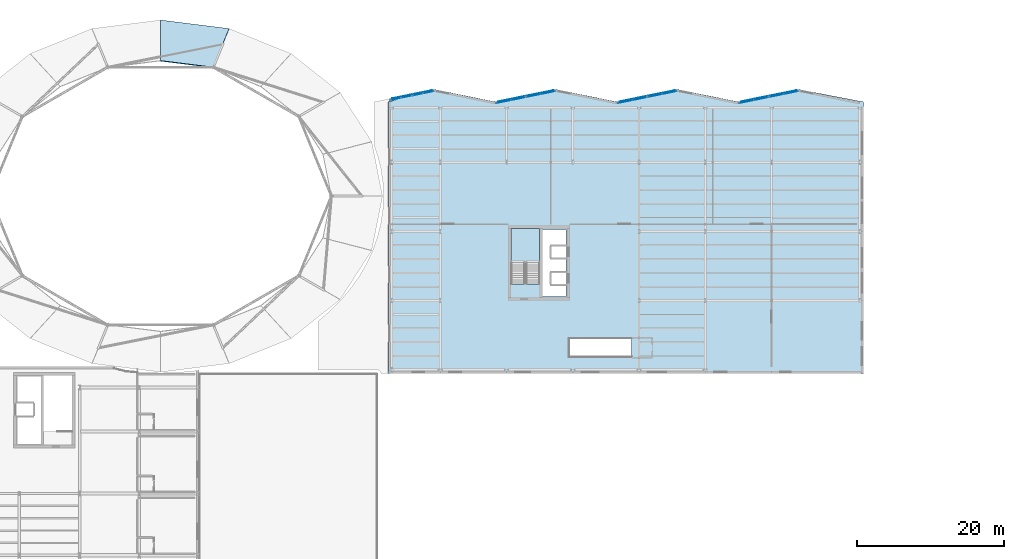
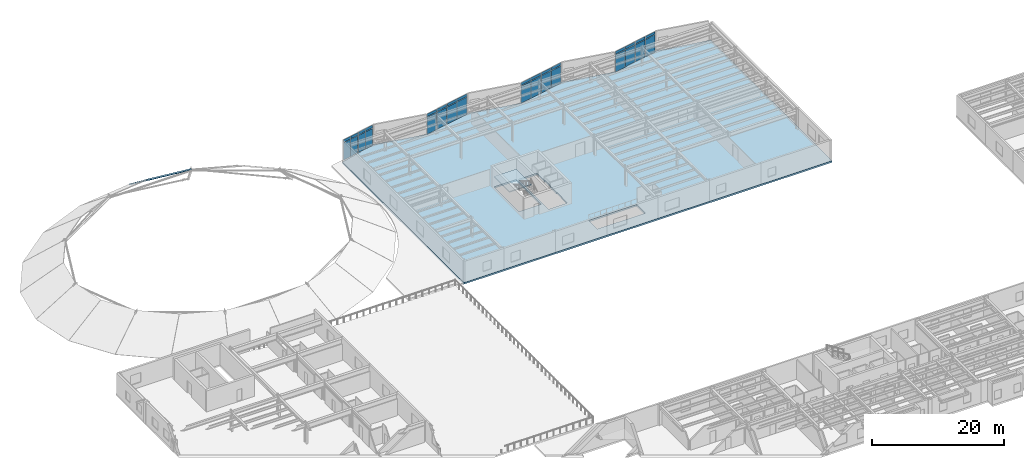
# One storey, part 27 of 59: 36 plates, 3 slabs, 9 elements without a shape of their own.
"""IFC4 building model written with IfcOpenShell, lengths in metres."""

from ifc_helpers import new_model, si_unit, direction, frame, origin, origin_2d, place, context, subcontext, project, spatial, polyline, rectangle, outline, extrude, material, layer, layer_set, type_object, element, aggregate, save


model = new_model("IFC4")

# Units and contexts
model_context = context("Model", 3, precision=1e-05, world=origin(), true_north=direction((0.0, 1.0)))
body_context = subcontext(model_context, "Body", "Model", "MODEL_VIEW")
ifc_project = project(units=[si_unit("LENGTHUNIT", "METRE"), si_unit("AREAUNIT", "SQUARE_METRE"), si_unit("VOLUMEUNIT", "CUBIC_METRE"), si_unit("PLANEANGLEUNIT", "RADIAN"), si_unit("MASSUNIT", "GRAM", prefix="KILO")], contexts=[model_context])

# Site, building, storey
site_placement = place(None, origin())
site = spatial("IfcSite", under=ifc_project, at=site_placement, CompositionType="ELEMENT")
building_placement = place(site_placement, origin())
building = spatial("IfcBuilding", under=site, at=building_placement, Name="Sollismere Congress Hotel", CompositionType="ELEMENT")
storey_placement = place(building_placement, frame((0.0, 0.0, 15.60009765625)))
storey = spatial("IfcBuildingStorey", under=building, at=storey_placement, Name="L03", CompositionType="ELEMENT", Elevation=15.60009765625)

# Curtain wall, plates
ifc_material_1 = material(Name="Anodized Bronze Curtain Wall & Low-E Triple Glazing", Category="glass")
ifc_layer_1 = layer(ifc_material_1, 0.199951171875, Name="Anodized Bronze Curtain Wall & Low-E Triple Glazing")
ifc_layer_set_1 = layer_set([ifc_layer_1], Name="Anodized Bronze Curtain Wall & Low-E Triple Glazing")
curtain_wall_type = type_object("IfcCurtainWallType", Name="CW-GLZ36", PredefinedType="USERDEFINED", material=ifc_layer_set_1)
curtain_wall_1_placement = place(storey_placement, origin())
curtain_wall_1 = element("IfcCurtainWall", 1, at=curtain_wall_1_placement, inside=storey, type_object=curtain_wall_type, Name="Unitised curtain wall CW-L03-105", ObjectType="UNITISED CURTAIN WALL", PredefinedType="USERDEFINED")
ifc_material_2 = material(Name="Blue-Tinted Solar-Control Low-E Vision Glass", Category="glass")
ifc_layer_2 = layer(ifc_material_2, 0.035888671875, Name="Blue-Tinted Solar-Control Low-E Vision Glass")
ifc_layer_set_2 = layer_set([ifc_layer_2], Name="Blue-Tinted Solar-Control Low-E Vision Glass")
plate_type_1 = type_object("IfcPlateType", Name="PL-CWGLZ", PredefinedType="CURTAIN_PANEL", material=ifc_layer_set_2)
plate_1_placement = place(storey_placement, frame((60.9755859375, 103.62548828125, 0.052978515625), z_axis=(0.0, 0.0, 1.0), x_axis=(0.979924704621, 0.199367934417, 0.0)))
plate_1 = element("IfcPlate", 2, at=plate_1_placement, type_object=plate_type_1, Name="CWL-CW-L03-105-VP01", PredefinedType="CURTAIN_PANEL", context=body_context, shape_type="SweptSolid", body=[
    extrude(rectangle(XDim=1.419921875, YDim=0.035888671875, at=origin_2d()), origin(), (0.0, 0.0, 1.0), 3.1650390625),
])
plate_2_placement = place(storey_placement, frame((62.4169921875, 103.918701171875, 0.052978515625), z_axis=(0.0, 0.0, 1.0), x_axis=(0.979924704621, 0.199367934417, 0.0)))
plate_2 = element("IfcPlate", 3, at=plate_2_placement, type_object=plate_type_1, Name="CWL-CW-L03-105-VP02", PredefinedType="CURTAIN_PANEL", context=body_context, shape_type="SweptSolid", body=[
    extrude(rectangle(XDim=1.419921875, YDim=0.035888671875, at=origin_2d()), origin(), (0.0, 0.0, 1.0), 3.1650390625),
])

curtain_wall_2_placement = place(storey_placement, origin())
curtain_wall_2 = element("IfcCurtainWall", 4, at=curtain_wall_2_placement, inside=storey, type_object=curtain_wall_type, Name="Unitised curtain wall CW-L03-106", ObjectType="UNITISED CURTAIN WALL", PredefinedType="USERDEFINED")
plate_3_placement = place(storey_placement, frame((63.93310546875, 104.22705078125, 0.052978515625), z_axis=(0.0, 0.0, 1.0), x_axis=(0.979924704621, 0.199367934417, 0.0)))
plate_3 = element("IfcPlate", 5, at=plate_3_placement, type_object=plate_type_1, Name="CWL-CW-L03-106-VP01", PredefinedType="CURTAIN_PANEL", context=body_context, shape_type="SweptSolid", body=[
    extrude(rectangle(XDim=1.419921875, YDim=0.035888671875, at=origin_2d()), origin(), (0.0, 0.0, 1.0), 3.1650390625),
])
plate_4_placement = place(storey_placement, frame((65.37451171875, 104.5205078125, 0.052978515625), z_axis=(0.0, 0.0, 1.0), x_axis=(0.979924704621, 0.199367934417, 0.0)))
plate_4 = element("IfcPlate", 6, at=plate_4_placement, type_object=plate_type_1, Name="CWL-CW-L03-106-VP02", PredefinedType="CURTAIN_PANEL", context=body_context, shape_type="SweptSolid", body=[
    extrude(rectangle(XDim=1.419921875, YDim=0.035888671875, at=origin_2d()), origin(), (0.0, 0.0, 1.0), 3.1650390625),
])

curtain_wall_3_placement = place(storey_placement, origin())
curtain_wall_3 = element("IfcCurtainWall", 7, at=curtain_wall_3_placement, inside=storey, type_object=curtain_wall_type, Name="Unitised curtain wall CW-L03-107", ObjectType="UNITISED CURTAIN WALL", PredefinedType="USERDEFINED")
plate_5_placement = place(storey_placement, frame((75.63818359375, 103.25146484375, 0.052978515625), z_axis=(0.0, 0.0, 1.0), x_axis=(0.979924704621, 0.199367934417, 0.0)))
plate_5 = element("IfcPlate", 8, at=plate_5_placement, type_object=plate_type_1, Name="CWL-CW-L03-107-VP01", PredefinedType="CURTAIN_PANEL", context=body_context, shape_type="SweptSolid", body=[
    extrude(rectangle(XDim=1.955810546875, YDim=0.035888671875, at=origin_2d()), origin(), (0.0, 0.0, 1.0), 3.1650390625),
])
plate_6_placement = place(storey_placement, frame((77.6044921875, 103.651611328125, 0.052978515625), z_axis=(0.0, 0.0, 1.0), x_axis=(0.979924704621, 0.199367934417, 0.0)))
plate_6 = element("IfcPlate", 9, at=plate_6_placement, type_object=plate_type_1, Name="CWL-CW-L03-107-VP02", PredefinedType="CURTAIN_PANEL", context=body_context, shape_type="SweptSolid", body=[
    extrude(rectangle(XDim=1.955810546875, YDim=0.035888671875, at=origin_2d()), origin(), (0.0, 0.0, 1.0), 3.1650390625),
])

curtain_wall_4_placement = place(storey_placement, origin())
curtain_wall_4 = element("IfcCurtainWall", 10, at=curtain_wall_4_placement, inside=storey, type_object=curtain_wall_type, Name="Unitised curtain wall CW-L03-108", ObjectType="UNITISED CURTAIN WALL", PredefinedType="USERDEFINED")
plate_7_placement = place(storey_placement, frame((79.6455078125, 104.06689453125, 0.052978515625), z_axis=(0.0, 0.0, 1.0), x_axis=(0.979924704621, 0.199367934417, 0.0)))
plate_7 = element("IfcPlate", 11, at=plate_7_placement, type_object=plate_type_1, Name="CWL-CW-L03-108-VP01", PredefinedType="CURTAIN_PANEL", context=body_context, shape_type="SweptSolid", body=[
    extrude(rectangle(XDim=1.955810546875, YDim=0.035888671875, at=origin_2d()), origin(), (0.0, 0.0, 1.0), 3.1650390625),
])
plate_8_placement = place(storey_placement, frame((81.61181640625, 104.467041015625, 0.052978515625), z_axis=(0.0, 0.0, 1.0), x_axis=(0.979924704621, 0.199367934417, 0.0)))
plate_8 = element("IfcPlate", 12, at=plate_8_placement, type_object=plate_type_1, Name="CWL-CW-L03-108-VP02", PredefinedType="CURTAIN_PANEL", context=body_context, shape_type="SweptSolid", body=[
    extrude(rectangle(XDim=1.955810546875, YDim=0.035888671875, at=origin_2d()), origin(), (0.0, 0.0, 1.0), 3.1650390625),
])

curtain_wall_5_placement = place(storey_placement, origin())
curtain_wall_5 = element("IfcCurtainWall", 13, at=curtain_wall_5_placement, inside=storey, type_object=curtain_wall_type, Name="Unitised curtain wall CW-L03-109", ObjectType="UNITISED CURTAIN WALL", PredefinedType="USERDEFINED")
plate_9_placement = place(storey_placement, frame((92.13818359375, 103.25146484375, 0.052978515625), z_axis=(0.0, 0.0, 1.0), x_axis=(0.979924704621, 0.199367934417, 0.0)))
plate_9 = element("IfcPlate", 14, at=plate_9_placement, type_object=plate_type_1, Name="CWL-CW-L03-109-VP01", PredefinedType="CURTAIN_PANEL", context=body_context, shape_type="SweptSolid", body=[
    extrude(rectangle(XDim=1.955810546875, YDim=0.035888671875, at=origin_2d()), origin(), (0.0, 0.0, 1.0), 3.1650390625),
])
plate_10_placement = place(storey_placement, frame((94.1044921875, 103.651611328125, 0.052978515625), z_axis=(0.0, 0.0, 1.0), x_axis=(0.979924704621, 0.199367934417, 0.0)))
plate_10 = element("IfcPlate", 15, at=plate_10_placement, type_object=plate_type_1, Name="CWL-CW-L03-109-VP02", PredefinedType="CURTAIN_PANEL", context=body_context, shape_type="SweptSolid", body=[
    extrude(rectangle(XDim=1.955810546875, YDim=0.035888671875, at=origin_2d()), origin(), (0.0, 0.0, 1.0), 3.1650390625),
])

curtain_wall_6_placement = place(storey_placement, origin())
curtain_wall_6 = element("IfcCurtainWall", 16, at=curtain_wall_6_placement, inside=storey, type_object=curtain_wall_type, Name="Unitised curtain wall CW-L03-110", ObjectType="UNITISED CURTAIN WALL", PredefinedType="USERDEFINED")
plate_11_placement = place(storey_placement, frame((96.1455078125, 104.06689453125, 0.052978515625), z_axis=(0.0, 0.0, 1.0), x_axis=(0.979924704621, 0.199367934417, 0.0)))
plate_11 = element("IfcPlate", 17, at=plate_11_placement, type_object=plate_type_1, Name="CWL-CW-L03-110-VP01", PredefinedType="CURTAIN_PANEL", context=body_context, shape_type="SweptSolid", body=[
    extrude(rectangle(XDim=1.955810546875, YDim=0.035888671875, at=origin_2d()), origin(), (0.0, 0.0, 1.0), 3.1650390625),
])
plate_12_placement = place(storey_placement, frame((98.11181640625, 104.467041015625, 0.052978515625), z_axis=(0.0, 0.0, 1.0), x_axis=(0.979924704621, 0.199367934417, 0.0)))
plate_12 = element("IfcPlate", 18, at=plate_12_placement, type_object=plate_type_1, Name="CWL-CW-L03-110-VP02", PredefinedType="CURTAIN_PANEL", context=body_context, shape_type="SweptSolid", body=[
    extrude(rectangle(XDim=1.955810546875, YDim=0.035888671875, at=origin_2d()), origin(), (0.0, 0.0, 1.0), 3.1650390625),
])

curtain_wall_7_placement = place(storey_placement, origin())
curtain_wall_7 = element("IfcCurtainWall", 19, at=curtain_wall_7_placement, inside=storey, type_object=curtain_wall_type, Name="Unitised curtain wall CW-L03-111", ObjectType="UNITISED CURTAIN WALL", PredefinedType="USERDEFINED")
plate_13_placement = place(storey_placement, frame((108.63818359375, 103.25146484375, 0.052978515625), z_axis=(0.0, 0.0, 1.0), x_axis=(0.979924704621, 0.199367934417, 0.0)))
plate_13 = element("IfcPlate", 20, at=plate_13_placement, type_object=plate_type_1, Name="CWL-CW-L03-111-VP01", PredefinedType="CURTAIN_PANEL", context=body_context, shape_type="SweptSolid", body=[
    extrude(rectangle(XDim=1.955810546875, YDim=0.035888671875, at=origin_2d()), origin(), (0.0, 0.0, 1.0), 3.1650390625),
])
plate_14_placement = place(storey_placement, frame((110.6044921875, 103.651611328125, 0.052978515625), z_axis=(0.0, 0.0, 1.0), x_axis=(0.979924704621, 0.199367934417, 0.0)))
plate_14 = element("IfcPlate", 21, at=plate_14_placement, type_object=plate_type_1, Name="CWL-CW-L03-111-VP02", PredefinedType="CURTAIN_PANEL", context=body_context, shape_type="SweptSolid", body=[
    extrude(rectangle(XDim=1.955810546875, YDim=0.035888671875, at=origin_2d()), origin(), (0.0, 0.0, 1.0), 3.1650390625),
])

curtain_wall_8_placement = place(storey_placement, origin())
curtain_wall_8 = element("IfcCurtainWall", 22, at=curtain_wall_8_placement, inside=storey, type_object=curtain_wall_type, Name="Unitised curtain wall CW-L03-112", ObjectType="UNITISED CURTAIN WALL", PredefinedType="USERDEFINED")
plate_15_placement = place(storey_placement, frame((112.6455078125, 104.06689453125, 0.052978515625), z_axis=(0.0, 0.0, 1.0), x_axis=(0.979924704621, 0.199367934417, 0.0)))
plate_15 = element("IfcPlate", 23, at=plate_15_placement, type_object=plate_type_1, Name="CWL-CW-L03-112-VP01", PredefinedType="CURTAIN_PANEL", context=body_context, shape_type="SweptSolid", body=[
    extrude(rectangle(XDim=1.955810546875, YDim=0.035888671875, at=origin_2d()), origin(), (0.0, 0.0, 1.0), 3.1650390625),
])
plate_16_placement = place(storey_placement, frame((114.61181640625, 104.467041015625, 0.052978515625), z_axis=(0.0, 0.0, 1.0), x_axis=(0.979924704621, 0.199367934417, 0.0)))
plate_16 = element("IfcPlate", 24, at=plate_16_placement, type_object=plate_type_1, Name="CWL-CW-L03-112-VP02", PredefinedType="CURTAIN_PANEL", context=body_context, shape_type="SweptSolid", body=[
    extrude(rectangle(XDim=1.955810546875, YDim=0.035888671875, at=origin_2d()), origin(), (0.0, 0.0, 1.0), 3.1650390625),
])

# Plate
ifc_material_3 = material(Name="Anodized Bronze Insulated Spandrel Panel")
ifc_layer_3 = layer(ifc_material_3, 0.044921875, Name="Anodized Bronze Insulated Spandrel Panel")
ifc_layer_set_3 = layer_set([ifc_layer_3], Name="Anodized Bronze Insulated Spandrel Panel")
plate_type_2 = type_object("IfcPlateType", Name="PL-CWSPN", PredefinedType="SHEET", material=ifc_layer_set_3)
plate_17_placement = place(storey_placement, frame((60.9755859375, 103.62548828125, 3.333984375), z_axis=(0.0, 0.0, 1.0), x_axis=(0.979924704621, 0.199367934417, 0.0)))
plate_17 = element("IfcPlate", 25, at=plate_17_placement, type_object=plate_type_2, Name="CWL-CW-L03-105-SP01", PredefinedType="SHEET", context=body_context, shape_type="SweptSolid", body=[
    extrude(rectangle(XDim=1.419921875, YDim=0.044921875, at=origin_2d()), origin(), (0.0, 0.0, 1.0), 0.512939453125),
])

plate_18_placement = place(storey_placement, frame((62.4169921875, 103.918701171875, 3.333984375), z_axis=(0.0, 0.0, 1.0), x_axis=(0.979924704621, 0.199367934417, 0.0)))
plate_18 = element("IfcPlate", 26, at=plate_18_placement, type_object=plate_type_2, Name="CWL-CW-L03-105-SP02", PredefinedType="SHEET", context=body_context, shape_type="SweptSolid", body=[
    extrude(rectangle(XDim=1.419921875, YDim=0.044921875, at=origin_2d()), origin(), (0.0, 0.0, 1.0), 0.512939453125),
])

aggregate(curtain_wall_1, [plate_1, plate_17, plate_2, plate_18])

plate_19_placement = place(storey_placement, frame((63.93310546875, 104.22705078125, 3.333984375), z_axis=(0.0, 0.0, 1.0), x_axis=(0.979924704621, 0.199367934417, 0.0)))
plate_19 = element("IfcPlate", 27, at=plate_19_placement, type_object=plate_type_2, Name="CWL-CW-L03-106-SP01", PredefinedType="SHEET", context=body_context, shape_type="SweptSolid", body=[
    extrude(rectangle(XDim=1.419921875, YDim=0.044921875, at=origin_2d()), origin(), (0.0, 0.0, 1.0), 0.512939453125),
])

plate_20_placement = place(storey_placement, frame((65.37451171875, 104.5205078125, 3.333984375), z_axis=(0.0, 0.0, 1.0), x_axis=(0.979924704621, 0.199367934417, 0.0)))
plate_20 = element("IfcPlate", 28, at=plate_20_placement, type_object=plate_type_2, Name="CWL-CW-L03-106-SP02", PredefinedType="SHEET", context=body_context, shape_type="SweptSolid", body=[
    extrude(rectangle(XDim=1.419921875, YDim=0.044921875, at=origin_2d()), origin(), (0.0, 0.0, 1.0), 0.512939453125),
])

aggregate(curtain_wall_2, [plate_3, plate_19, plate_4, plate_20])

plate_21_placement = place(storey_placement, frame((75.63818359375, 103.25146484375, 3.333984375), z_axis=(0.0, 0.0, 1.0), x_axis=(0.979924704621, 0.199367934417, 0.0)))
plate_21 = element("IfcPlate", 29, at=plate_21_placement, type_object=plate_type_2, Name="CWL-CW-L03-107-SP01", PredefinedType="SHEET", context=body_context, shape_type="SweptSolid", body=[
    extrude(rectangle(XDim=1.955810546875, YDim=0.044921875, at=origin_2d()), origin(), (0.0, 0.0, 1.0), 0.512939453125),
])

plate_22_placement = place(storey_placement, frame((77.6044921875, 103.651611328125, 3.333984375), z_axis=(0.0, 0.0, 1.0), x_axis=(0.979924704621, 0.199367934417, 0.0)))
plate_22 = element("IfcPlate", 30, at=plate_22_placement, type_object=plate_type_2, Name="CWL-CW-L03-107-SP02", PredefinedType="SHEET", context=body_context, shape_type="SweptSolid", body=[
    extrude(rectangle(XDim=1.955810546875, YDim=0.044921875, at=origin_2d()), origin(), (0.0, 0.0, 1.0), 0.512939453125),
])

aggregate(curtain_wall_3, [plate_5, plate_21, plate_6, plate_22])

plate_23_placement = place(storey_placement, frame((79.6455078125, 104.06689453125, 3.333984375), z_axis=(0.0, 0.0, 1.0), x_axis=(0.979924704621, 0.199367934417, 0.0)))
plate_23 = element("IfcPlate", 31, at=plate_23_placement, type_object=plate_type_2, Name="CWL-CW-L03-108-SP01", PredefinedType="SHEET", context=body_context, shape_type="SweptSolid", body=[
    extrude(rectangle(XDim=1.955810546875, YDim=0.044921875, at=origin_2d()), origin(), (0.0, 0.0, 1.0), 0.512939453125),
])

plate_24_placement = place(storey_placement, frame((81.61181640625, 104.467041015625, 3.333984375), z_axis=(0.0, 0.0, 1.0), x_axis=(0.979924704621, 0.199367934417, 0.0)))
plate_24 = element("IfcPlate", 32, at=plate_24_placement, type_object=plate_type_2, Name="CWL-CW-L03-108-SP02", PredefinedType="SHEET", context=body_context, shape_type="SweptSolid", body=[
    extrude(rectangle(XDim=1.955810546875, YDim=0.044921875, at=origin_2d()), origin(), (0.0, 0.0, 1.0), 0.512939453125),
])

aggregate(curtain_wall_4, [plate_7, plate_23, plate_8, plate_24])

plate_25_placement = place(storey_placement, frame((92.13818359375, 103.25146484375, 3.333984375), z_axis=(0.0, 0.0, 1.0), x_axis=(0.979924704621, 0.199367934417, 0.0)))
plate_25 = element("IfcPlate", 33, at=plate_25_placement, type_object=plate_type_2, Name="CWL-CW-L03-109-SP01", PredefinedType="SHEET", context=body_context, shape_type="SweptSolid", body=[
    extrude(rectangle(XDim=1.955810546875, YDim=0.044921875, at=origin_2d()), origin(), (0.0, 0.0, 1.0), 0.512939453125),
])

plate_26_placement = place(storey_placement, frame((94.1044921875, 103.651611328125, 3.333984375), z_axis=(0.0, 0.0, 1.0), x_axis=(0.979924704621, 0.199367934417, 0.0)))
plate_26 = element("IfcPlate", 34, at=plate_26_placement, type_object=plate_type_2, Name="CWL-CW-L03-109-SP02", PredefinedType="SHEET", context=body_context, shape_type="SweptSolid", body=[
    extrude(rectangle(XDim=1.955810546875, YDim=0.044921875, at=origin_2d()), origin(), (0.0, 0.0, 1.0), 0.512939453125),
])

aggregate(curtain_wall_5, [plate_9, plate_25, plate_10, plate_26])

plate_27_placement = place(storey_placement, frame((96.1455078125, 104.06689453125, 3.333984375), z_axis=(0.0, 0.0, 1.0), x_axis=(0.979924704621, 0.199367934417, 0.0)))
plate_27 = element("IfcPlate", 35, at=plate_27_placement, type_object=plate_type_2, Name="CWL-CW-L03-110-SP01", PredefinedType="SHEET", context=body_context, shape_type="SweptSolid", body=[
    extrude(rectangle(XDim=1.955810546875, YDim=0.044921875, at=origin_2d()), origin(), (0.0, 0.0, 1.0), 0.512939453125),
])

plate_28_placement = place(storey_placement, frame((98.11181640625, 104.467041015625, 3.333984375), z_axis=(0.0, 0.0, 1.0), x_axis=(0.979924704621, 0.199367934417, 0.0)))
plate_28 = element("IfcPlate", 36, at=plate_28_placement, type_object=plate_type_2, Name="CWL-CW-L03-110-SP02", PredefinedType="SHEET", context=body_context, shape_type="SweptSolid", body=[
    extrude(rectangle(XDim=1.955810546875, YDim=0.044921875, at=origin_2d()), origin(), (0.0, 0.0, 1.0), 0.512939453125),
])

aggregate(curtain_wall_6, [plate_11, plate_27, plate_12, plate_28])

plate_29_placement = place(storey_placement, frame((108.63818359375, 103.25146484375, 3.333984375), z_axis=(0.0, 0.0, 1.0), x_axis=(0.979924704621, 0.199367934417, 0.0)))
plate_29 = element("IfcPlate", 37, at=plate_29_placement, type_object=plate_type_2, Name="CWL-CW-L03-111-SP01", PredefinedType="SHEET", context=body_context, shape_type="SweptSolid", body=[
    extrude(rectangle(XDim=1.955810546875, YDim=0.044921875, at=origin_2d()), origin(), (0.0, 0.0, 1.0), 0.512939453125),
])

plate_30_placement = place(storey_placement, frame((110.6044921875, 103.651611328125, 3.333984375), z_axis=(0.0, 0.0, 1.0), x_axis=(0.979924704621, 0.199367934417, 0.0)))
plate_30 = element("IfcPlate", 38, at=plate_30_placement, type_object=plate_type_2, Name="CWL-CW-L03-111-SP02", PredefinedType="SHEET", context=body_context, shape_type="SweptSolid", body=[
    extrude(rectangle(XDim=1.955810546875, YDim=0.044921875, at=origin_2d()), origin(), (0.0, 0.0, 1.0), 0.512939453125),
])

aggregate(curtain_wall_7, [plate_13, plate_29, plate_14, plate_30])

plate_31_placement = place(storey_placement, frame((112.6455078125, 104.06689453125, 3.333984375), z_axis=(0.0, 0.0, 1.0), x_axis=(0.979924704621, 0.199367934417, 0.0)))
plate_31 = element("IfcPlate", 39, at=plate_31_placement, type_object=plate_type_2, Name="CWL-CW-L03-112-SP01", PredefinedType="SHEET", context=body_context, shape_type="SweptSolid", body=[
    extrude(rectangle(XDim=1.955810546875, YDim=0.044921875, at=origin_2d()), origin(), (0.0, 0.0, 1.0), 0.512939453125),
])

plate_32_placement = place(storey_placement, frame((114.61181640625, 104.467041015625, 3.333984375), z_axis=(0.0, 0.0, 1.0), x_axis=(0.979924704621, 0.199367934417, 0.0)))
plate_32 = element("IfcPlate", 40, at=plate_32_placement, type_object=plate_type_2, Name="CWL-CW-L03-112-SP02", PredefinedType="SHEET", context=body_context, shape_type="SweptSolid", body=[
    extrude(rectangle(XDim=1.955810546875, YDim=0.044921875, at=origin_2d()), origin(), (0.0, 0.0, 1.0), 0.512939453125),
])

aggregate(curtain_wall_8, [plate_15, plate_31, plate_16, plate_32])

# Plates
ifc_material_4 = material(Name="Perforated Architectural Bronze Sebeke Screen")
ifc_layer_4 = layer(ifc_material_4, 0.0380859375, Name="Perforated Architectural Bronze Sebeke Screen")
ifc_layer_set_4 = layer_set([ifc_layer_4], Name="Perforated Architectural Bronze Sebeke Screen")
plate_type_3 = type_object("IfcPlateType", Name="PL-SBK32", PredefinedType="USERDEFINED", material=ifc_layer_set_4)
plate_33_placement = place(storey_placement, frame((63.151123046875, 104.1904296875, 1.268310546875), z_axis=(0.0, 0.0, 1.0), x_axis=(0.979924704621, 0.199367934417, 0.0)))
element("IfcPlate", 41, at=plate_33_placement, inside=storey, type_object=plate_type_3, Name="PLT-SBK-014", ObjectType="PERFORATED SCREEN", PredefinedType="USERDEFINED", context=body_context, shape_type="SweptSolid", body=[
    extrude(rectangle(XDim=5.47607421875, YDim=0.0380859375, at=origin_2d()), origin(), (0.0, 0.0, 1.0), 1.9580078125),
])
for number, where, z_axis, x_axis, name in (
    (42, (78.60107421875, 103.976806640625, 1.268310546875), (0.0, 0.0, 1.0), (0.979924704621, 0.199367934417, 0.0), "PLT-SBK-015"),
    (43, (95.10107421875, 103.976806640625, 1.268310546875), (0.0, 0.0, 1.0), (0.979924704621, 0.199367934417, 0.0), "PLT-SBK-016"),
    (44, (111.60107421875, 103.976806640625, 1.268310546875), (0.0, 0.0, 1.0), (0.979924704621, 0.199367934417, 0.0), "PLT-SBK-017"),
):
    element("IfcPlate", number, at=place(storey_placement, frame(where, z_axis=z_axis, x_axis=x_axis)), inside=storey, type_object=plate_type_3, Name=name, ObjectType="PERFORATED SCREEN", PredefinedType="USERDEFINED", context=body_context, shape_type="SweptSolid", body=[
        extrude(rectangle(XDim=7.618896484375, YDim=0.0380859375, at=origin_2d()), origin(), (0.0, 0.0, 1.0), 1.9580078125),
    ])

# Slabs
ifc_material_5 = material(Name="Standing-Seam Zinc on Precast Concrete C40/50", Category="concrete")
ifc_layer_5 = layer(ifc_material_5, 0.139892578125, Name="Standing-Seam Zinc on Precast Concrete C40/50")
ifc_layer_set_5 = layer_set([ifc_layer_5], Name="Standing-Seam Zinc on Precast Concrete C40/50")
slab_type_1 = type_object("IfcSlabType", Name="SL-DOME140", PredefinedType="ROOF", material=ifc_layer_set_5)
slab_1_placement = place(storey_placement, frame((38.2978515625, 113.067138671875, -0.110595703125), z_axis=(0.076407121461, 0.60824149508, 0.790065969052), x_axis=(-0.992202965919, 0.124632557493, 5.92283e-06)))
element("IfcSlab", 45, at=slab_1_placement, inside=storey, type_object=slab_type_1, Name="Congress shell dome standing-seam panel SL-DM-105", PredefinedType="ROOF", context=body_context, shape_type="SweptSolid", body=[
    extrude(outline(polyline([(0.0, 0.0), (9.36962890625, 0.0), (8.684326171875, 6.932861328125), (1.47705078125, 6.932861328125), (0.0, 0.0)])), origin(), (0.0, 0.0, 1.0), 0.139892578125),
])
ifc_material_6 = material(Name="Concrete C40/50", Category="concrete")
ifc_layer_6 = layer(ifc_material_6, 0.300048828125, Name="Concrete C40/50")
ifc_layer_set_6 = layer_set([ifc_layer_6], Name="Concrete C40/50")
slab_type_2 = type_object("IfcSlabType", Name="SL-FLR300", PredefinedType="FLOOR", material=ifc_layer_set_6)
slab_2_placement = place(storey_placement, frame((0.0, 0.0, -0.300048828125)))
element("IfcSlab", 46, at=slab_2_placement, inside=storey, type_object=slab_type_2, Name="Slab SL-L03-V2", PredefinedType="FLOOR", context=body_context, shape_type="SweptSolid", body=[
    extrude(outline(polyline([(124.47998046875, 66.320068359375), (124.47998046875, 66.85009765625), (124.47998046875, 103.199951171875), (115.75, 104.87841796875), (107.5, 103.199951171875), (99.25, 104.87841796875), (91.0, 103.199951171875), (82.75, 104.87841796875), (74.5, 103.199951171875), (66.25, 104.87841796875), (59.919921875, 103.199951171875), (59.919921875, 66.800048828125), (59.919921875, 66.320068359375), (124.47998046875, 66.320068359375)]), holes=[polyline([(84.550048828125, 71.10009765625), (92.97998046875, 71.10009765625), (92.97998046875, 68.5), (84.550048828125, 68.5), (84.550048828125, 71.10009765625)]), polyline([(84.14501953125, 79.969970703125), (84.14501953125, 78.429931640625), (84.06005859375, 78.429931640625), (84.06005859375, 76.739990234375), (80.77001953125, 76.739990234375), (80.77001953125, 85.860107421875), (84.06005859375, 85.860107421875), (84.06005859375, 83.570068359375), (84.14501953125, 83.570068359375), (84.14501953125, 82.030029296875), (84.06005859375, 82.030029296875), (84.06005859375, 79.969970703125), (84.14501953125, 79.969970703125)]), polyline([(80.5, 86.0), (80.5, 78.45068359375), (76.60009765625, 78.45068359375), (76.60009765625, 86.0), (80.5, 86.0)])]), origin(), (0.0, 0.0, 1.0), 0.300048828125),
])

# Stair, slab
stair_type = type_object("IfcStairType", Name="STR-DL-390", PredefinedType="HALF_TURN_STAIR", material=ifc_material_6)
stair_placement = place(storey_placement, origin())
stair = element("IfcStair", 47, at=stair_placement, inside=storey, type_object=stair_type, Name="Protected exit stair ST-04-L03", PredefinedType="HALF_TURN_STAIR")
ifc_layer_7 = layer(ifc_material_6, 0.199951171875, Name="Concrete C40/50")
ifc_layer_set_7 = layer_set([ifc_layer_7], Name="Concrete C40/50")
slab_type_3 = type_object("IfcSlabType", Name="SL-LND200", PredefinedType="LANDING", material=ifc_layer_set_7)
slab_3_placement = place(storey_placement, frame((0.0, 0.0, 1.75)))
slab_3 = element("IfcSlab", 48, at=slab_3_placement, type_object=slab_type_3, Name="Exit stair half-landing ST-04-L03-L1", PredefinedType="LANDING", context=body_context, shape_type="SweptSolid", body=[
    extrude(outline(polyline([(80.5, 81.35009765625), (80.5, 86.0), (76.60009765625, 86.0), (76.60009765625, 81.35009765625), (80.5, 81.35009765625)])), origin(), (0.0, 0.0, 1.0), 0.199951171875),
])
aggregate(stair, [slab_3])

save(model, "model.ifc")
